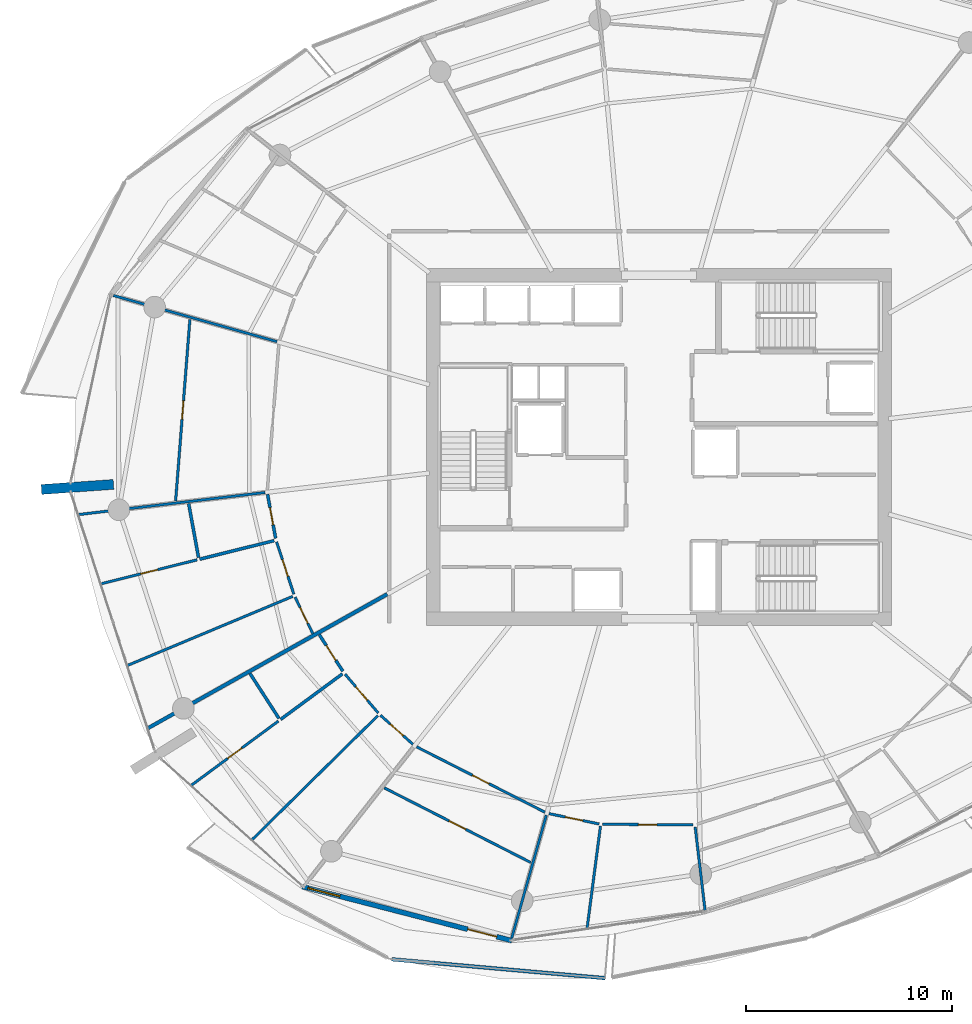
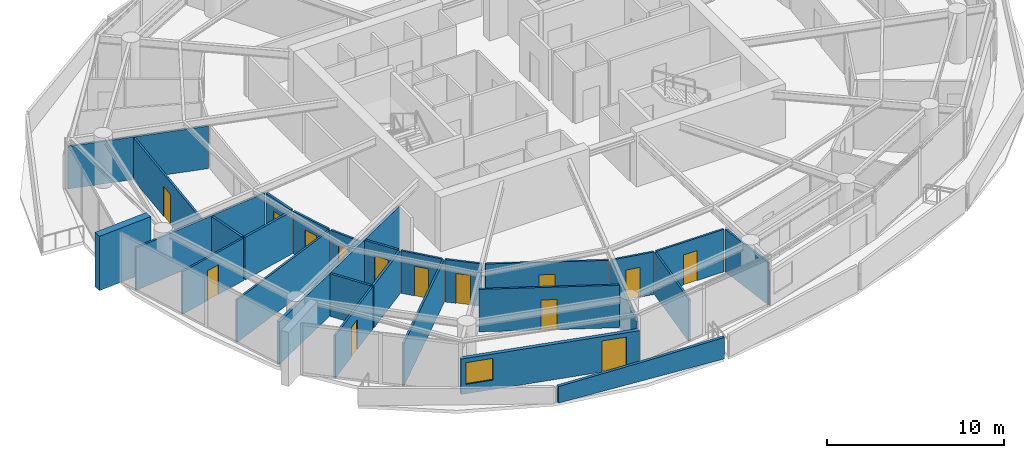
# One storey, part 11 of 21: 28 walls, 14 doors, 1 window, 15 openings.
"""IFC4 building model written with IfcOpenShell, lengths in metres."""

from ifc_helpers import new_model, si_unit, direction, frame, frame_2d, origin, place, context, subcontext, project, spatial, polyline, rectangle, outline, extrude, material, layer, layer_set, type_object, element, fill, save


model = new_model("IFC4")

# Units and contexts
model_context = context("Model", 3, precision=1e-05, world=origin(), true_north=direction((0.0, 1.0)))
body_context = subcontext(model_context, "Body", "Model", "MODEL_VIEW")
ifc_project = project(units=[si_unit("LENGTHUNIT", "METRE"), si_unit("AREAUNIT", "SQUARE_METRE"), si_unit("VOLUMEUNIT", "CUBIC_METRE"), si_unit("PLANEANGLEUNIT", "RADIAN"), si_unit("MASSUNIT", "GRAM", prefix="KILO")], contexts=[model_context])

# Site, building, storey
site_placement = place(None, origin())
site = spatial("IfcSite", under=ifc_project, at=site_placement, CompositionType="ELEMENT")
building_placement = place(site_placement, origin())
building = spatial("IfcBuilding", under=site, at=building_placement, Name="Kazma Halo Residences", CompositionType="ELEMENT")
storey_placement = place(building_placement, frame((0.0, 0.0, 195.300048828125)))
storey = spatial("IfcBuildingStorey", under=building, at=storey_placement, Name="L49", CompositionType="ELEMENT", Elevation=195.300048828125)

# Walls
ifc_material_1 = material(Name="White Concrete C50/60 Balustrade", Category="concrete")
ifc_layer_1 = layer(ifc_material_1, 0.179931640625)
ifc_layer_set_1 = layer_set([ifc_layer_1], Name="White Concrete C50/60 Balustrade")
wall_type_1 = type_object("IfcWallType", Name="WL-BAL-WAVE-180", PredefinedType="PARAPET", material=ifc_layer_set_1)
wall_1_placement = place(storey_placement, frame((35.471435546875, 17.166015625, 0.0), z_axis=(0.0, 0.0, 1.0), x_axis=(0.996118216942, -0.088025552404, 0.0)))
element("IfcWall", 1, at=wall_1_placement, inside=storey, type_object=wall_type_1, Name="L49 white wave balustrade wall SW.2", PredefinedType="PARAPET", context=body_context, shape_type="SweptSolid", body=[
    extrude(outline(polyline([(0.0, 0.0), (10.384033203125, 0.0), (10.384033203125, 1.48291015625), (5.192138671875, 1.283935546875), (0.0, 1.14794921875), (0.0, 0.0)])), frame((0.0, 0.08984375, 0.0), z_axis=(0.0, -1.0, 0.0), x_axis=(1.0, 0.0, 0.0)), (0.0, 0.0, 1.0), 0.179931640625),
])
ifc_material_2 = material(Name="Pale Concrete C60/75", Category="concrete")
ifc_layer_2 = layer(ifc_material_2, 0.47998046875)
ifc_layer_set_2 = layer_set([ifc_layer_2], Name="Pale Concrete C60/75")
wall_type_2 = type_object("IfcWallType", Name="WL-BLADE-480", PredefinedType="SOLIDWALL", material=ifc_layer_set_2)
wall_2_placement = place(storey_placement, frame((21.9873046875, 40.180908203125, 0.0), z_axis=(0.0, 0.0, 1.0), x_axis=(-0.997568676264, -0.069690287244, 0.0)))
element("IfcWall", 2, at=wall_2_placement, inside=storey, type_object=wall_type_2, Name="L49 pale concrete structural blade fin wall BW-02", PredefinedType="SOLIDWALL", context=body_context, shape_type="SweptSolid", body=[
    extrude(rectangle(XDim=3.499755859375, YDim=0.47998046875, at=frame_2d((1.75, 0.0))), origin(), (0.0, 0.0, 1.0), 3.75),
])
ifc_material_3 = material(Name="Acoustic Twin-Stud Gypsum")
ifc_layer_3 = layer(ifc_material_3, 0.179931640625)
ifc_layer_set_3 = layer_set([ifc_layer_3], Name="Acoustic Twin-Stud Gypsum")
wall_type_3 = type_object("IfcWallType", Name="WL-DEM-180", PredefinedType="PARTITIONING", material=ifc_layer_set_3)
wall_3_placement = place(storey_placement, frame((35.25390625, 34.862060546875, 0.0), z_axis=(0.0, 0.0, 1.0), x_axis=(-0.872489721771, -0.488632464541, 0.0)))
element("IfcWall", 3, at=wall_3_placement, inside=storey, type_object=wall_type_3, Name="L49 apartment demising radial wall 08", PredefinedType="PARTITIONING", context=body_context, shape_type="SweptSolid", body=[
    extrude(rectangle(XDim=13.286376953125, YDim=0.179931640625, at=frame_2d((6.64306640625, 0.0))), origin(), (0.0, 0.0, 1.0), 2.93994140625),
])

# Wall, openings, door, window
ifc_material_4 = material(Name="Insulated Pale-Metal Composite Wall")
ifc_layer_4 = layer(ifc_material_4, 0.239990234375)
ifc_layer_set_4 = layer_set([ifc_layer_4], Name="Insulated Pale-Metal Composite Wall")
wall_type_4 = type_object("IfcWallType", Name="WL-EXT-HOST-240", PredefinedType="SOLIDWALL", material=ifc_layer_set_4)
wall_4_placement = place(storey_placement, frame((31.139892578125, 20.68701171875, 0.0), z_axis=(0.0, 0.0, 1.0), x_axis=(0.968374028006, -0.249502989727, 0.0)))
wall_4 = element("IfcWall", 4, at=wall_4_placement, inside=storey, type_object=wall_type_4, Name="L49 exterior terrace-access wall B10", PredefinedType="SOLIDWALL", context=body_context, shape_type="SweptSolid", body=[
    extrude(rectangle(XDim=10.494384765625, YDim=0.239990234375, at=frame_2d((5.2470703125, 0.0))), origin(), (0.0, 0.0, 1.0), 2.449951171875),
])
opening_1_placement = place(wall_4_placement, frame((8.2744140625, 0.0, 0.0)))
opening_1 = element("IfcOpeningElement", 5, at=opening_1_placement, cuts=wall_4, Name="Opening DTR-1600", PredefinedType="OPENING", context=body_context, shape_type="SweptSolid", body=[
    extrude(rectangle(XDim=1.449951171875, YDim=2.14990234375, at=frame_2d((0.72509765625, 1.074951171875))), frame((0.0, 0.1298828125, 0.0), z_axis=(0.0, -1.0, 0.0), x_axis=(1.0, 0.0, 0.0)), (0.0, 0.0, 1.0), 0.260009765625),
])
opening_2_placement = place(wall_4_placement, frame((0.280029296875, 0.0, 0.64990234375)))
opening_2 = element("IfcOpeningElement", 6, at=opening_2_placement, cuts=wall_4, Name="Opening W-1800", PredefinedType="OPENING", context=body_context, shape_type="SweptSolid", body=[
    extrude(rectangle(XDim=1.60009765625, YDim=1.5, at=frame_2d((0.800048828125, 0.75))), frame((0.0, 0.1298828125, 0.0), z_axis=(0.0, -1.0, 0.0), x_axis=(1.0, 0.0, 0.0)), (0.0, 0.0, 1.0), 0.260009765625),
])
ifc_material_5 = material(Name="Aluminium AW-6063 T6 Double-Glazed Terrace Door", Category="aluminium")
door_type_1 = type_object("IfcDoorType", Name="DR-EXT-TERR-1600", OperationType="NOTDEFINED", PredefinedType="DOOR", material=ifc_material_5)
door_1_placement = place(opening_1_placement, origin())
door_1 = element("IfcDoor", 7, at=door_1_placement, inside=storey, type_object=door_type_1, Name="L49 B10 balcony terrace door", OperationType="DOUBLE_DOOR_SLIDING", OverallHeight=2.14990234375, OverallWidth=1.449951171875, PredefinedType="DOOR", context=body_context, shape_type="SweptSolid", body=[
    extrude(rectangle(XDim=1.449951171875, YDim=2.14990234375, at=frame_2d((0.72509765625, 1.074951171875))), frame((0.0, 0.02490234375, 0.0), z_axis=(0.0, -1.0, 0.0), x_axis=(1.0, 0.0, 0.0)), (0.0, 0.0, 1.0), 0.050048828125),
])
fill(opening_1, door_1)
ifc_material_6 = material(Name="Clear Triple-Silver Low-E Glass in Aluminium AW-6063 T6 Frame", Category="aluminium")
window_type = type_object("IfcWindowType", Name="WIN-RES-1800", PartitioningType="DOUBLE_PANEL_VERTICAL", PredefinedType="WINDOW", material=ifc_material_6)
window_placement = place(opening_2_placement, origin())
window = element("IfcWindow", 8, at=window_placement, inside=storey, type_object=window_type, Name="L49 B10 apartment window", OverallHeight=1.5, OverallWidth=1.60009765625, PartitioningType="SINGLE_PANEL", PredefinedType="WINDOW", context=body_context, shape_type="SweptSolid", body=[
    extrude(rectangle(XDim=1.60009765625, YDim=1.5, at=frame_2d((0.800048828125, 0.75))), frame((0.0, 0.030029296875, 0.0), z_axis=(0.0, -1.0, 0.0), x_axis=(1.0, 0.0, 0.0)), (0.0, 0.0, 1.0), 0.06005859375),
])
fill(opening_2, window)

# Wall
ifc_material_7 = material(Name="Gypsum Plasterboard Partition")
ifc_layer_5 = layer(ifc_material_7, 0.125)
ifc_layer_set_5 = layer_set([ifc_layer_5], Name="Gypsum Plasterboard Partition")
wall_type_5 = type_object("IfcWallType", Name="WL-PART-125", PredefinedType="PARTITIONING", material=ifc_layer_set_5)
wall_5_placement = place(storey_placement, frame((29.91162109375, 47.101318359375, 0.0), z_axis=(0.0, 0.0, 1.0), x_axis=(-0.962449080254, 0.271462277156, 0.0)))
element("IfcWall", 9, at=wall_5_placement, inside=storey, type_object=wall_type_5, Name="L49 Apartment 1 radial partition 6", PredefinedType="PARTITIONING", context=body_context, shape_type="SweptSolid", body=[
    extrude(rectangle(XDim=8.236328125, YDim=0.125, at=frame_2d((4.1181640625, 0.0))), origin(), (0.0, 0.0, 1.0), 2.93994140625),
])

# Wall, opening, door
wall_6_placement = place(storey_placement, frame((25.690185546875, 48.1796875, 0.0), z_axis=(0.0, 0.0, 1.0), x_axis=(-0.078440443211, -0.996918801542, 0.0)))
wall_6 = element("IfcWall", 10, at=wall_6_placement, inside=storey, type_object=wall_type_5, Name="L49 Apartment 1 Secondary Master Bedroom divider wall", PredefinedType="PARTITIONING", context=body_context, shape_type="SweptSolid", body=[
    extrude(rectangle(XDim=8.820556640625, YDim=0.125, at=frame_2d((4.41015625, 0.0))), origin(), (0.0, 0.0, 1.0), 2.93994140625),
])
opening_3_placement = place(wall_6_placement, frame((3.96044921875, 0.0, 0.0)))
opening_3 = element("IfcOpeningElement", 11, at=opening_3_placement, cuts=wall_6, Name="Opening DI-950", PredefinedType="OPENING", context=body_context, shape_type="SweptSolid", body=[
    extrude(rectangle(XDim=0.89990234375, YDim=2.080078125, at=frame_2d((0.449951171875, 1.0400390625))), frame((0.0, 0.072509765625, 0.0), z_axis=(0.0, -1.0, 0.0), x_axis=(1.0, 0.0, 0.0)), (0.0, 0.0, 1.0), 0.14501953125),
])
ifc_material_8 = material(Name="Timber Veneer Flush Leaf", Category="wood")
door_type_2 = type_object("IfcDoorType", Name="DR-INT-950", OperationType="NOTDEFINED", PredefinedType="DOOR", material=ifc_material_8)
door_2_placement = place(opening_3_placement, origin())
door_2 = element("IfcDoor", 12, at=door_2_placement, inside=storey, type_object=door_type_2, Name="L49 Apartment 1 Secondary Master Bedroom door", OperationType="SINGLE_SWING_LEFT", OverallHeight=2.080078125, OverallWidth=0.89990234375, PredefinedType="DOOR", context=body_context, shape_type="SweptSolid", body=[
    extrude(rectangle(XDim=0.89990234375, YDim=2.080078125, at=frame_2d((0.449951171875, 1.0400390625))), frame((0.0, 0.02490234375, 0.0), z_axis=(0.0, -1.0, 0.0), x_axis=(1.0, 0.0, 0.0)), (0.0, 0.0, 1.0), 0.050048828125),
])
fill(opening_3, door_2)

# Wall
wall_7_placement = place(storey_placement, frame((29.336181640625, 39.791015625, 0.0), z_axis=(0.0, 0.0, 1.0), x_axis=(-0.99306722244, -0.117547827356, 0.0)))
element("IfcWall", 13, at=wall_7_placement, inside=storey, type_object=wall_type_5, Name="L49 Apartment 1 radial partition 7", PredefinedType="PARTITIONING", context=body_context, shape_type="SweptSolid", body=[
    extrude(rectangle(XDim=9.10107421875, YDim=0.125, at=frame_2d((4.550537109375, 0.0))), origin(), (0.0, 0.0, 1.0), 2.93994140625),
])

# Wall, opening, door
wall_8_placement = place(storey_placement, frame((26.037841796875, 36.526123046875, 0.0), z_axis=(0.0, 0.0, 1.0), x_axis=(-0.970322062613, -0.241816241817, 0.0)))
wall_8 = element("IfcWall", 14, at=wall_8_placement, inside=storey, type_object=wall_type_5, Name="L49 Apartment 1 West Walk-In Wardrobe partition wall", PredefinedType="PARTITIONING", context=body_context, shape_type="SweptSolid", body=[
    extrude(rectangle(XDim=4.79150390625, YDim=0.125, at=frame_2d((2.395751953125, 0.0))), origin(), (0.0, 0.0, 1.0), 2.93994140625),
])
opening_4_placement = place(wall_8_placement, frame((1.970947265625, 0.0, 0.0)))
opening_4 = element("IfcOpeningElement", 15, at=opening_4_placement, cuts=wall_8, Name="Opening DB-900", PredefinedType="OPENING", context=body_context, shape_type="SweptSolid", body=[
    extrude(rectangle(XDim=0.85009765625, YDim=2.06005859375, at=frame_2d((0.425048828125, 1.030029296875))), frame((0.0, 0.072509765625, 0.0), z_axis=(0.0, -1.0, 0.0), x_axis=(1.0, 0.0, 0.0)), (0.0, 0.0, 1.0), 0.14501953125),
])
ifc_material_9 = material(Name="Moisture-Sealed Timber Leaf", Category="wood")
door_type_3 = type_object("IfcDoorType", Name="DR-BTH-900", OperationType="NOTDEFINED", PredefinedType="DOOR", material=ifc_material_9)
door_3_placement = place(opening_4_placement, origin())
door_3 = element("IfcDoor", 16, at=door_3_placement, inside=storey, type_object=door_type_3, Name="L49 Apartment 1 West Walk-In Wardrobe door", OperationType="SINGLE_SWING_RIGHT", OverallHeight=2.06005859375, OverallWidth=0.85009765625, PredefinedType="DOOR", context=body_context, shape_type="SweptSolid", body=[
    extrude(rectangle(XDim=0.85009765625, YDim=2.06005859375, at=frame_2d((0.425048828125, 1.030029296875))), frame((0.0, 0.02490234375, 0.0), z_axis=(0.0, -1.0, 0.0), x_axis=(1.0, 0.0, 0.0)), (0.0, 0.0, 1.0), 0.050048828125),
])
fill(opening_4, door_3)

# Wall
wall_9_placement = place(storey_placement, frame((30.669921875, 34.754150390625, 0.0), z_axis=(0.0, 0.0, 1.0), x_axis=(-0.922602845347, -0.385751201887, 0.0)))
element("IfcWall", 17, at=wall_9_placement, inside=storey, type_object=wall_type_5, Name="L49 Apartment 1 suite divider 7", PredefinedType="PARTITIONING", context=body_context, shape_type="SweptSolid", body=[
    extrude(rectangle(XDim=8.6669921875, YDim=0.125, at=frame_2d((4.33349609375, 0.0))), origin(), (0.0, 0.0, 1.0), 2.93994140625),
])

# Wall, opening, door
wall_10_placement = place(storey_placement, frame((29.88916015625, 37.393798828125, 0.0), z_axis=(0.0, 0.0, 1.0), x_axis=(0.314743001449, -0.94917692926, 0.0)))
wall_10 = element("IfcWall", 18, at=wall_10_placement, inside=storey, type_object=wall_type_5, Name="L49 Apartment 1 North Private Study hall wall", PredefinedType="PARTITIONING", context=body_context, shape_type="SweptSolid", body=[
    extrude(rectangle(XDim=2.66455078125, YDim=0.125, at=frame_2d((1.332275390625, 0.0))), origin(), (0.0, 0.0, 1.0), 2.93994140625),
])
opening_5_placement = place(wall_10_placement, frame((0.9072265625, 0.0, 0.0)))
opening_5 = element("IfcOpeningElement", 19, at=opening_5_placement, cuts=wall_10, Name="Opening DB-900", PredefinedType="OPENING", context=body_context, shape_type="SweptSolid", body=[
    extrude(rectangle(XDim=0.85009765625, YDim=2.06005859375, at=frame_2d((0.425048828125, 1.030029296875))), frame((0.0, 0.072509765625, 0.0), z_axis=(0.0, -1.0, 0.0), x_axis=(1.0, 0.0, 0.0)), (0.0, 0.0, 1.0), 0.14501953125),
])
door_4_placement = place(opening_5_placement, origin())
door_4 = element("IfcDoor", 20, at=door_4_placement, inside=storey, type_object=door_type_3, Name="L49 Apartment 1 North Private Study door", OperationType="SINGLE_SWING_LEFT", OverallHeight=2.06005859375, OverallWidth=0.85009765625, PredefinedType="DOOR", context=body_context, shape_type="SweptSolid", body=[
    extrude(rectangle(XDim=0.85009765625, YDim=2.06005859375, at=frame_2d((0.425048828125, 1.030029296875))), frame((0.0, 0.02490234375, 0.0), z_axis=(0.0, -1.0, 0.0), x_axis=(1.0, 0.0, 0.0)), (0.0, 0.0, 1.0), 0.050048828125),
])
fill(opening_5, door_4)

wall_11_placement = place(storey_placement, frame((30.787841796875, 34.716796875, 0.0), z_axis=(0.0, 0.0, 1.0), x_axis=(0.437917773095, -0.899015029912, 0.0)))
wall_11 = element("IfcWall", 21, at=wall_11_placement, inside=storey, type_object=wall_type_5, Name="L49 Apartment 1 South Master Bedroom hall wall", PredefinedType="PARTITIONING", context=body_context, shape_type="SweptSolid", body=[
    extrude(rectangle(XDim=1.958984375, YDim=0.125, at=frame_2d((0.9794921875, 0.0))), origin(), (0.0, 0.0, 1.0), 2.93994140625),
])
opening_6_placement = place(wall_11_placement, frame((0.5546875, 0.0, 0.0)))
opening_6 = element("IfcOpeningElement", 22, at=opening_6_placement, cuts=wall_11, Name="Opening DB-900", PredefinedType="OPENING", context=body_context, shape_type="SweptSolid", body=[
    extrude(rectangle(XDim=0.85009765625, YDim=2.06005859375, at=frame_2d((0.425048828125, 1.030029296875))), frame((0.0, 0.072509765625, 0.0), z_axis=(0.0, -1.0, 0.0), x_axis=(1.0, 0.0, 0.0)), (0.0, 0.0, 1.0), 0.14501953125),
])
door_5_placement = place(opening_6_placement, origin())
door_5 = element("IfcDoor", 23, at=door_5_placement, inside=storey, type_object=door_type_3, Name="L49 Apartment 1 South Master Bedroom door", OperationType="SINGLE_SWING_RIGHT", OverallHeight=2.06005859375, OverallWidth=0.85009765625, PredefinedType="DOOR", context=body_context, shape_type="SweptSolid", body=[
    extrude(rectangle(XDim=0.85009765625, YDim=2.06005859375, at=frame_2d((0.425048828125, 1.030029296875))), frame((0.0, 0.02490234375, 0.0), z_axis=(0.0, -1.0, 0.0), x_axis=(1.0, 0.0, 0.0)), (0.0, 0.0, 1.0), 0.050048828125),
])
fill(opening_6, door_5)

wall_12_placement = place(storey_placement, frame((29.98193359375, 28.713623046875, 0.0), z_axis=(0.0, 0.0, 1.0), x_axis=(-0.804838915654, -0.593493319128, 0.0)))
wall_12 = element("IfcWall", 24, at=wall_12_placement, inside=storey, type_object=wall_type_5, Name="L49 Apartment 2 Household Store Room partition wall", PredefinedType="PARTITIONING", context=body_context, shape_type="SweptSolid", body=[
    extrude(rectangle(XDim=5.262939453125, YDim=0.125, at=frame_2d((2.63134765625, 0.0))), origin(), (0.0, 0.0, 1.0), 2.93994140625),
])
opening_7_placement = place(wall_12_placement, frame((2.20654296875, 0.0, 0.0)))
opening_7 = element("IfcOpeningElement", 25, at=opening_7_placement, cuts=wall_12, Name="Opening DB-900", PredefinedType="OPENING", context=body_context, shape_type="SweptSolid", body=[
    extrude(rectangle(XDim=0.85009765625, YDim=2.06005859375, at=frame_2d((0.425048828125, 1.030029296875))), frame((0.0, 0.072509765625, 0.0), z_axis=(0.0, -1.0, 0.0), x_axis=(1.0, 0.0, 0.0)), (0.0, 0.0, 1.0), 0.14501953125),
])
door_6_placement = place(opening_7_placement, origin())
door_6 = element("IfcDoor", 26, at=door_6_placement, inside=storey, type_object=door_type_3, Name="L49 Apartment 2 Household Store Room door", OperationType="SINGLE_SWING_LEFT", OverallHeight=2.06005859375, OverallWidth=0.85009765625, PredefinedType="DOOR", context=body_context, shape_type="SweptSolid", body=[
    extrude(rectangle(XDim=0.85009765625, YDim=2.06005859375, at=frame_2d((0.425048828125, 1.030029296875))), frame((0.0, 0.02490234375, 0.0), z_axis=(0.0, -1.0, 0.0), x_axis=(1.0, 0.0, 0.0)), (0.0, 0.0, 1.0), 0.050048828125),
])
fill(opening_7, door_6)

# Wall
wall_13_placement = place(storey_placement, frame((34.804443359375, 28.980712890625, 0.0), z_axis=(0.0, 0.0, 1.0), x_axis=(-0.711838138291, -0.702343551885, 0.0)))
element("IfcWall", 27, at=wall_13_placement, inside=storey, type_object=wall_type_5, Name="L49 Apartment 2 suite divider 8", PredefinedType="PARTITIONING", context=body_context, shape_type="SweptSolid", body=[
    extrude(rectangle(XDim=8.58837890625, YDim=0.125, at=frame_2d((4.294189453125, 0.0))), origin(), (0.0, 0.0, 1.0), 2.93994140625),
])

# Wall, opening, door
wall_14_placement = place(storey_placement, frame((33.211669921875, 30.9833984375, 0.0), z_axis=(0.0, 0.0, 1.0), x_axis=(0.649553685552, -0.760315730198, 0.0)))
wall_14 = element("IfcWall", 28, at=wall_14_placement, inside=storey, type_object=wall_type_5, Name="L49 Apartment 2 Gourmet Kitchen hall wall", PredefinedType="PARTITIONING", context=body_context, shape_type="SweptSolid", body=[
    extrude(rectangle(XDim=2.470947265625, YDim=0.125, at=frame_2d((1.2353515625, 0.0))), origin(), (0.0, 0.0, 1.0), 2.93994140625),
])
opening_8_placement = place(wall_14_placement, frame((0.810546875, 0.0, 0.0)))
opening_8 = element("IfcOpeningElement", 29, at=opening_8_placement, cuts=wall_14, Name="Opening DB-900", PredefinedType="OPENING", context=body_context, shape_type="SweptSolid", body=[
    extrude(rectangle(XDim=0.85009765625, YDim=2.06005859375, at=frame_2d((0.425048828125, 1.030029296875))), frame((0.0, 0.072509765625, 0.0), z_axis=(0.0, -1.0, 0.0), x_axis=(1.0, 0.0, 0.0)), (0.0, 0.0, 1.0), 0.14501953125),
])
door_7_placement = place(opening_8_placement, origin())
door_7 = element("IfcDoor", 30, at=door_7_placement, inside=storey, type_object=door_type_3, Name="L49 Apartment 2 Gourmet Kitchen door", OperationType="SINGLE_SWING_RIGHT", OverallHeight=2.06005859375, OverallWidth=0.85009765625, PredefinedType="DOOR", context=body_context, shape_type="SweptSolid", body=[
    extrude(rectangle(XDim=0.85009765625, YDim=2.06005859375, at=frame_2d((0.425048828125, 1.030029296875))), frame((0.0, 0.02490234375, 0.0), z_axis=(0.0, -1.0, 0.0), x_axis=(1.0, 0.0, 0.0)), (0.0, 0.0, 1.0), 0.050048828125),
])
fill(opening_8, door_7)

wall_15_placement = place(storey_placement, frame((34.92822265625, 28.99072265625, 0.0), z_axis=(0.0, 0.0, 1.0), x_axis=(0.745304685955, -0.666724024686, 0.0)))
wall_15 = element("IfcWall", 31, at=wall_15_placement, inside=storey, type_object=wall_type_5, Name="L49 Apartment 2 Primary Bedroom hall wall", PredefinedType="PARTITIONING", context=body_context, shape_type="SweptSolid", body=[
    extrude(rectangle(XDim=2.11572265625, YDim=0.125, at=frame_2d((1.057861328125, 0.0))), origin(), (0.0, 0.0, 1.0), 2.93994140625),
])
opening_9_placement = place(wall_15_placement, frame((0.6328125, 0.0, 0.0)))
opening_9 = element("IfcOpeningElement", 32, at=opening_9_placement, cuts=wall_15, Name="Opening DB-900", PredefinedType="OPENING", context=body_context, shape_type="SweptSolid", body=[
    extrude(rectangle(XDim=0.85009765625, YDim=2.06005859375, at=frame_2d((0.425048828125, 1.030029296875))), frame((0.0, 0.072509765625, 0.0), z_axis=(0.0, -1.0, 0.0), x_axis=(1.0, 0.0, 0.0)), (0.0, 0.0, 1.0), 0.14501953125),
])
door_8_placement = place(opening_9_placement, origin())
door_8 = element("IfcDoor", 33, at=door_8_placement, inside=storey, type_object=door_type_3, Name="L49 Apartment 2 Primary Bedroom door", OperationType="SINGLE_SWING_LEFT", OverallHeight=2.06005859375, OverallWidth=0.85009765625, PredefinedType="DOOR", context=body_context, shape_type="SweptSolid", body=[
    extrude(rectangle(XDim=0.85009765625, YDim=2.06005859375, at=frame_2d((0.425048828125, 1.030029296875))), frame((0.0, 0.02490234375, 0.0), z_axis=(0.0, -1.0, 0.0), x_axis=(1.0, 0.0, 0.0)), (0.0, 0.0, 1.0), 0.050048828125),
])
fill(opening_9, door_8)

wall_16_placement = place(storey_placement, frame((36.677490234375, 27.46337890625, 0.0), z_axis=(0.0, 0.0, 1.0), x_axis=(0.891000510506, -0.454002302063, 0.0)))
wall_16 = element("IfcWall", 34, at=wall_16_placement, inside=storey, type_object=wall_type_5, Name="L49 Apartment 2 East Study hall wall", PredefinedType="PARTITIONING", context=body_context, shape_type="SweptSolid", body=[
    extrude(rectangle(XDim=6.977783203125, YDim=0.125, at=frame_2d((3.48876953125, 0.0))), origin(), (0.0, 0.0, 1.0), 2.93994140625),
])
opening_10_placement = place(wall_16_placement, frame((3.038818359375, 0.0, 0.0)))
opening_10 = element("IfcOpeningElement", 35, at=opening_10_placement, cuts=wall_16, Name="Opening DI-950", PredefinedType="OPENING", context=body_context, shape_type="SweptSolid", body=[
    extrude(rectangle(XDim=0.89990234375, YDim=2.080078125, at=frame_2d((0.449951171875, 1.0400390625))), frame((0.0, 0.072509765625, 0.0), z_axis=(0.0, -1.0, 0.0), x_axis=(1.0, 0.0, 0.0)), (0.0, 0.0, 1.0), 0.14501953125),
])
door_9_placement = place(opening_10_placement, origin())
door_9 = element("IfcDoor", 36, at=door_9_placement, inside=storey, type_object=door_type_2, Name="L49 Apartment 2 East Study door", OperationType="SINGLE_SWING_LEFT", OverallHeight=2.080078125, OverallWidth=0.89990234375, PredefinedType="DOOR", context=body_context, shape_type="SweptSolid", body=[
    extrude(rectangle(XDim=0.89990234375, YDim=2.080078125, at=frame_2d((0.449951171875, 1.0400390625))), frame((0.0, 0.02490234375, 0.0), z_axis=(0.0, -1.0, 0.0), x_axis=(1.0, 0.0, 0.0)), (0.0, 0.0, 1.0), 0.050048828125),
])
fill(opening_10, door_9)

wall_17_placement = place(storey_placement, frame((35.110107421875, 25.474853515625, 0.0), z_axis=(0.0, 0.0, 1.0), x_axis=(0.89101166114, -0.453980417764, 0.0)))
wall_17 = element("IfcWall", 37, at=wall_17_placement, inside=storey, type_object=wall_type_5, Name="L49 Apartment 2 West Master Bedroom divider wall", PredefinedType="PARTITIONING", context=body_context, shape_type="SweptSolid", body=[
    extrude(rectangle(XDim=7.965576171875, YDim=0.125, at=frame_2d((3.98291015625, 0.0))), origin(), (0.0, 0.0, 1.0), 2.93994140625),
])
opening_11_placement = place(wall_17_placement, frame((3.53271484375, 0.0, 0.0)))
opening_11 = element("IfcOpeningElement", 38, at=opening_11_placement, cuts=wall_17, Name="Opening DI-950", PredefinedType="OPENING", context=body_context, shape_type="SweptSolid", body=[
    extrude(rectangle(XDim=0.89990234375, YDim=2.080078125, at=frame_2d((0.449951171875, 1.0400390625))), frame((0.0, 0.072509765625, 0.0), z_axis=(0.0, -1.0, 0.0), x_axis=(1.0, 0.0, 0.0)), (0.0, 0.0, 1.0), 0.14501953125),
])
door_10_placement = place(opening_11_placement, origin())
door_10 = element("IfcDoor", 39, at=door_10_placement, inside=storey, type_object=door_type_2, Name="L49 Apartment 2 West Master Bedroom door", OperationType="SINGLE_SWING_RIGHT", OverallHeight=2.080078125, OverallWidth=0.89990234375, PredefinedType="DOOR", context=body_context, shape_type="SweptSolid", body=[
    extrude(rectangle(XDim=0.89990234375, YDim=2.080078125, at=frame_2d((0.449951171875, 1.0400390625))), frame((0.0, 0.02490234375, 0.0), z_axis=(0.0, -1.0, 0.0), x_axis=(1.0, 0.0, 0.0)), (0.0, 0.0, 1.0), 0.050048828125),
])
fill(opening_11, door_10)

# Walls
wall_18_placement = place(storey_placement, frame((42.965576171875, 24.1494140625, 0.0), z_axis=(0.0, 0.0, 1.0), x_axis=(-0.271437645754, -0.96245602729, 0.0)))
element("IfcWall", 40, at=wall_18_placement, inside=storey, type_object=wall_type_5, Name="L49 Apartment 2 radial partition 10", PredefinedType="PARTITIONING", context=body_context, shape_type="SweptSolid", body=[
    extrude(rectangle(XDim=6.179931640625, YDim=0.125, at=frame_2d((3.08984375, 0.0))), origin(), (0.0, 0.0, 1.0), 2.93994140625),
])
wall_19_placement = place(storey_placement, frame((45.590087890625, 23.620361328125, 0.0), z_axis=(0.0, 0.0, 1.0), x_axis=(-0.130002577968, -0.991513655842, 0.0)))
element("IfcWall", 41, at=wall_19_placement, inside=storey, type_object=wall_type_5, Name="L49 Apartment 2 mid-bay wall 10", PredefinedType="PARTITIONING", context=body_context, shape_type="SweptSolid", body=[
    extrude(rectangle(XDim=5.0029296875, YDim=0.125, at=frame_2d((2.50146484375, 0.0))), origin(), (0.0, 0.0, 1.0), 2.93994140625),
])

# Wall, opening, door
wall_20_placement = place(storey_placement, frame((43.0908203125, 24.2255859375, 0.0), z_axis=(0.0, 0.0, 1.0), x_axis=(0.979523234934, -0.201331150657, 0.0)))
wall_20 = element("IfcWall", 42, at=wall_20_placement, inside=storey, type_object=wall_type_5, Name="L49 Apartment 2 North Laundry Room hall wall", PredefinedType="PARTITIONING", context=body_context, shape_type="SweptSolid", body=[
    extrude(rectangle(XDim=2.4833984375, YDim=0.125, at=frame_2d((1.24169921875, 0.0))), origin(), (0.0, 0.0, 1.0), 2.93994140625),
])
opening_12_placement = place(wall_20_placement, frame((0.81689453125, 0.0, 0.0)))
opening_12 = element("IfcOpeningElement", 43, at=opening_12_placement, cuts=wall_20, Name="Opening DB-900", PredefinedType="OPENING", context=body_context, shape_type="SweptSolid", body=[
    extrude(rectangle(XDim=0.85009765625, YDim=2.06005859375, at=frame_2d((0.425048828125, 1.030029296875))), frame((0.0, 0.072509765625, 0.0), z_axis=(0.0, -1.0, 0.0), x_axis=(1.0, 0.0, 0.0)), (0.0, 0.0, 1.0), 0.14501953125),
])
door_11_placement = place(opening_12_placement, origin())
door_11 = element("IfcDoor", 44, at=door_11_placement, inside=storey, type_object=door_type_3, Name="L49 Apartment 2 North Laundry Room door", OperationType="SINGLE_SWING_RIGHT", OverallHeight=2.06005859375, OverallWidth=0.85009765625, PredefinedType="DOOR", context=body_context, shape_type="SweptSolid", body=[
    extrude(rectangle(XDim=0.85009765625, YDim=2.06005859375, at=frame_2d((0.425048828125, 1.030029296875))), frame((0.0, 0.02490234375, 0.0), z_axis=(0.0, -1.0, 0.0), x_axis=(1.0, 0.0, 0.0)), (0.0, 0.0, 1.0), 0.050048828125),
])
fill(opening_12, door_11)

wall_21_placement = place(storey_placement, frame((45.681884765625, 23.708984375, 0.0), z_axis=(0.0, 0.0, 1.0), x_axis=(0.999980220686, -0.006289533838, 0.0)))
wall_21 = element("IfcWall", 45, at=wall_21_placement, inside=storey, type_object=wall_type_5, Name="L49 Apartment 2 South Bedroom hall wall", PredefinedType="PARTITIONING", context=body_context, shape_type="SweptSolid", body=[
    extrude(rectangle(XDim=4.38623046875, YDim=0.125, at=frame_2d((2.193115234375, 0.0))), origin(), (0.0, 0.0, 1.0), 2.93994140625),
])
opening_13_placement = place(wall_21_placement, frame((1.7431640625, 0.0, 0.0)))
opening_13 = element("IfcOpeningElement", 46, at=opening_13_placement, cuts=wall_21, Name="Opening DI-950", PredefinedType="OPENING", context=body_context, shape_type="SweptSolid", body=[
    extrude(rectangle(XDim=0.89990234375, YDim=2.080078125, at=frame_2d((0.449951171875, 1.0400390625))), frame((0.0, 0.072509765625, 0.0), z_axis=(0.0, -1.0, 0.0), x_axis=(1.0, 0.0, 0.0)), (0.0, 0.0, 1.0), 0.14501953125),
])
door_12_placement = place(opening_13_placement, origin())
door_12 = element("IfcDoor", 47, at=door_12_placement, inside=storey, type_object=door_type_2, Name="L49 Apartment 2 South Bedroom door", OperationType="SINGLE_SWING_LEFT", OverallHeight=2.080078125, OverallWidth=0.89990234375, PredefinedType="DOOR", context=body_context, shape_type="SweptSolid", body=[
    extrude(rectangle(XDim=0.89990234375, YDim=2.080078125, at=frame_2d((0.449951171875, 1.0400390625))), frame((0.0, 0.02490234375, 0.0), z_axis=(0.0, -1.0, 0.0), x_axis=(1.0, 0.0, 0.0)), (0.0, 0.0, 1.0), 0.050048828125),
])
fill(opening_13, door_12)

# Wall
wall_22_placement = place(storey_placement, frame((50.179931640625, 23.58154296875, 0.0), z_axis=(0.0, 0.0, 1.0), x_axis=(0.117520306907, -0.993070479606, 0.0)))
element("IfcWall", 48, at=wall_22_placement, inside=storey, type_object=wall_type_5, Name="L49 Apartment 2 radial partition 11", PredefinedType="PARTITIONING", context=body_context, shape_type="SweptSolid", body=[
    extrude(rectangle(XDim=4.08837890625, YDim=0.125, at=frame_2d((2.044189453125, 0.0))), origin(), (0.0, 0.0, 1.0), 2.93994140625),
])

# Wall, opening, door
ifc_material_10 = material(Name="Moisture-Resistant Gypsum")
ifc_layer_6 = layer(ifc_material_10, 0.14990234375)
ifc_layer_set_6 = layer_set([ifc_layer_6], Name="Moisture-Resistant Gypsum")
wall_type_6 = type_object("IfcWallType", Name="WL-WET-150", PredefinedType="PARTITIONING", material=ifc_layer_set_6)
wall_23_placement = place(storey_placement, frame((29.45361328125, 39.704345703125, 0.0), z_axis=(0.0, 0.0, 1.0), x_axis=(0.180052393527, -0.983657021316, 0.0)))
wall_23 = element("IfcWall", 49, at=wall_23_placement, inside=storey, type_object=wall_type_6, Name="L49 Apartment 1 East En-Suite Bathroom hall wall", PredefinedType="PARTITIONING", context=body_context, shape_type="SweptSolid", body=[
    extrude(rectangle(XDim=2.172119140625, YDim=0.14990234375, at=frame_2d((1.0859375, 0.0))), origin(), (0.0, 0.0, 1.0), 2.93994140625),
])
opening_14_placement = place(wall_23_placement, frame((0.6611328125, 0.0, 0.0)))
opening_14 = element("IfcOpeningElement", 50, at=opening_14_placement, cuts=wall_23, Name="Opening DB-900", PredefinedType="OPENING", context=body_context, shape_type="SweptSolid", body=[
    extrude(rectangle(XDim=0.85009765625, YDim=2.06005859375, at=frame_2d((0.425048828125, 1.030029296875))), frame((0.0, 0.0849609375, 0.0), z_axis=(0.0, -1.0, 0.0), x_axis=(1.0, 0.0, 0.0)), (0.0, 0.0, 1.0), 0.169921875),
])
door_13_placement = place(opening_14_placement, origin())
door_13 = element("IfcDoor", 51, at=door_13_placement, inside=storey, type_object=door_type_3, Name="L49 Apartment 1 East En-Suite Bathroom door", OperationType="SINGLE_SWING_LEFT", OverallHeight=2.06005859375, OverallWidth=0.85009765625, PredefinedType="DOOR", context=body_context, shape_type="SweptSolid", body=[
    extrude(rectangle(XDim=0.85009765625, YDim=2.06005859375, at=frame_2d((0.425048828125, 1.030029296875))), frame((0.0, 0.02490234375, 0.0), z_axis=(0.0, -1.0, 0.0), x_axis=(1.0, 0.0, 0.0)), (0.0, 0.0, 1.0), 0.050048828125),
])
fill(opening_14, door_13)

# Walls
wall_24_placement = place(storey_placement, frame((25.63037109375, 39.251708984375, 0.0), z_axis=(0.0, 0.0, 1.0), x_axis=(0.179984332974, -0.98366947695, 0.0)))
element("IfcWall", 52, at=wall_24_placement, inside=storey, type_object=wall_type_6, Name="L49 Apartment 1 East En-Suite Bathroom back wall", PredefinedType="PARTITIONING", context=body_context, shape_type="SweptSolid", body=[
    extrude(rectangle(XDim=2.65869140625, YDim=0.14990234375, at=frame_2d((1.329345703125, 0.0))), origin(), (0.0, 0.0, 1.0), 2.93994140625),
])
wall_25_placement = place(storey_placement, frame((29.773681640625, 37.457275390625, 0.0), z_axis=(0.0, 0.0, 1.0), x_axis=(-0.970315973529, -0.241840673822, 0.0)))
element("IfcWall", 53, at=wall_25_placement, inside=storey, type_object=wall_type_6, Name="L49 Apartment 1 East En-Suite Bathroom side wall", PredefinedType="PARTITIONING", context=body_context, shape_type="SweptSolid", body=[
    extrude(rectangle(XDim=3.719970703125, YDim=0.14990234375, at=frame_2d((1.85986328125, 0.0))), origin(), (0.0, 0.0, 1.0), 2.93994140625),
])

# Wall, opening, door
wall_26_placement = place(storey_placement, frame((31.959228515625, 32.90234375, 0.0), z_axis=(0.0, 0.0, 1.0), x_axis=(0.542100541999, -0.840313633333, 0.0)))
wall_26 = element("IfcWall", 54, at=wall_26_placement, inside=storey, type_object=wall_type_6, Name="L49 Apartment 2 Guest Bathroom hall wall", PredefinedType="PARTITIONING", context=body_context, shape_type="SweptSolid", body=[
    extrude(rectangle(XDim=2.1123046875, YDim=0.14990234375, at=frame_2d((1.05615234375, 0.0))), origin(), (0.0, 0.0, 1.0), 2.93994140625),
])
opening_15_placement = place(wall_26_placement, frame((0.631103515625, 0.0, 0.0)))
opening_15 = element("IfcOpeningElement", 55, at=opening_15_placement, cuts=wall_26, Name="Opening DB-900", PredefinedType="OPENING", context=body_context, shape_type="SweptSolid", body=[
    extrude(rectangle(XDim=0.85009765625, YDim=2.06005859375, at=frame_2d((0.425048828125, 1.030029296875))), frame((0.0, 0.0849609375, 0.0), z_axis=(0.0, -1.0, 0.0), x_axis=(1.0, 0.0, 0.0)), (0.0, 0.0, 1.0), 0.169921875),
])
door_14_placement = place(opening_15_placement, origin())
door_14 = element("IfcDoor", 56, at=door_14_placement, inside=storey, type_object=door_type_3, Name="L49 Apartment 2 Guest Bathroom door", OperationType="SINGLE_SWING_RIGHT", OverallHeight=2.06005859375, OverallWidth=0.85009765625, PredefinedType="DOOR", context=body_context, shape_type="SweptSolid", body=[
    extrude(rectangle(XDim=0.85009765625, YDim=2.06005859375, at=frame_2d((0.425048828125, 1.030029296875))), frame((0.0, 0.02490234375, 0.0), z_axis=(0.0, -1.0, 0.0), x_axis=(1.0, 0.0, 0.0)), (0.0, 0.0, 1.0), 0.050048828125),
])
fill(opening_15, door_14)

# Walls
wall_27_placement = place(storey_placement, frame((28.60009765625, 31.021240234375, 0.0), z_axis=(0.0, 0.0, 1.0), x_axis=(0.542098987179, -0.840314636371, 0.0)))
element("IfcWall", 57, at=wall_27_placement, inside=storey, type_object=wall_type_6, Name="L49 Apartment 2 Guest Bathroom back wall", PredefinedType="PARTITIONING", context=body_context, shape_type="SweptSolid", body=[
    extrude(rectangle(XDim=2.5927734375, YDim=0.14990234375, at=frame_2d((1.29638671875, 0.0))), origin(), (0.0, 0.0, 1.0), 2.93994140625),
])
wall_28_placement = place(storey_placement, frame((33.080810546875, 30.99853515625, 0.0), z_axis=(0.0, 0.0, 1.0), x_axis=(-0.804856199216, -0.593469880097, 0.0)))
element("IfcWall", 58, at=wall_28_placement, inside=storey, type_object=wall_type_6, Name="L49 Apartment 2 Guest Bathroom side wall", PredefinedType="PARTITIONING", context=body_context, shape_type="SweptSolid", body=[
    extrude(rectangle(XDim=3.72021484375, YDim=0.14990234375, at=frame_2d((1.860107421875, 0.0))), origin(), (0.0, 0.0, 1.0), 2.93994140625),
])

save(model, "model.ifc")
